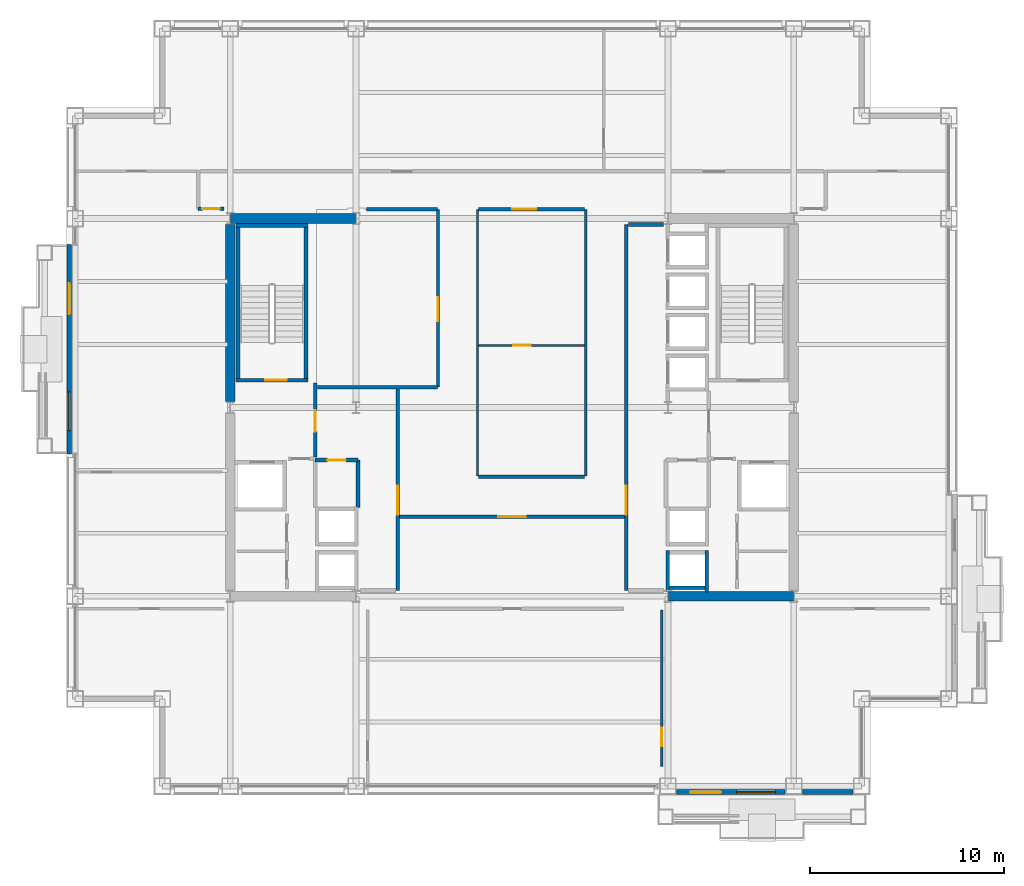
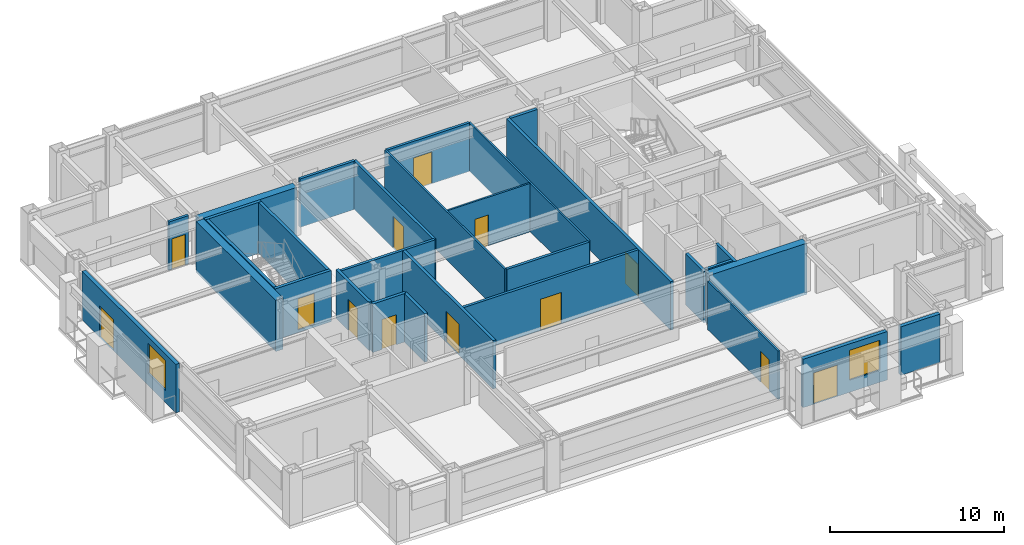
# One storey, part 24 of 29: 30 walls, 13 doors, 2 windows, 15 openings.
"""IFC4 building model written with IfcOpenShell, lengths in metres."""

from ifc_helpers import new_model, si_unit, direction, frame, frame_2d, origin, place, context, subcontext, project, spatial, rectangle, extrude, material, layer, layer_set, type_object, element, fill, save


model = new_model("IFC4")

# Units and contexts
model_context = context("Model", 3, precision=1e-05, world=origin(), true_north=direction((0.0, 1.0)))
body_context = subcontext(model_context, "Body", "Model", "MODEL_VIEW")
ifc_project = project(units=[si_unit("LENGTHUNIT", "METRE"), si_unit("AREAUNIT", "SQUARE_METRE"), si_unit("VOLUMEUNIT", "CUBIC_METRE"), si_unit("PLANEANGLEUNIT", "RADIAN"), si_unit("MASSUNIT", "GRAM", prefix="KILO")], contexts=[model_context])

# Site, building, storey
site_placement = place(None, origin())
site = spatial("IfcSite", under=ifc_project, at=site_placement, CompositionType="ELEMENT")
building_placement = place(site_placement, origin())
building = spatial("IfcBuilding", under=site, at=building_placement, Name="Brelmoor Portico Tower", CompositionType="ELEMENT")
storey_placement = place(building_placement, frame((0.0, 0.0, 95.39990234375)))
storey = spatial("IfcBuildingStorey", under=building, at=storey_placement, Name="L24", CompositionType="ELEMENT", Elevation=95.39990234375)

# Walls
ifc_material_1 = material(Name="Concrete C60", Category="concrete")
ifc_layer_1 = layer(ifc_material_1, 0.5)
ifc_layer_set_1 = layer_set([ifc_layer_1], Name="Concrete C60")
wall_type_1 = type_object("IfcWallType", Name="WL-CORE-500", PredefinedType="SHEAR", material=ifc_layer_set_1)
wall_1_placement = place(storey_placement, frame((-14.530029296875, 9.75, -0.199951171875), z_axis=(0.0, 0.0, 1.0), x_axis=(1.0, 0.0, 0.0)))
element("IfcWall", 1, at=wall_1_placement, inside=storey, type_object=wall_type_1, Name="L24 WC North Shear Wall", PredefinedType="SHEAR", context=body_context, shape_type="SweptSolid", body=[
    extrude(rectangle(XDim=6.4599609375, YDim=0.5, at=frame_2d((3.22998046875, 0.0))), origin(), (0.0, 0.0, 1.0), 3.60009765625),
])
wall_2_placement = place(storey_placement, frame((-14.550048828125, 0.300048828125, -0.199951171875), z_axis=(0.0, 0.0, 1.0), x_axis=(0.0, 1.0, 0.0)))
element("IfcWall", 2, at=wall_2_placement, inside=storey, type_object=wall_type_1, Name="L24 WC Outer North Shear Wall", PredefinedType="SHEAR", context=body_context, shape_type="SweptSolid", body=[
    extrude(rectangle(XDim=9.14990234375, YDim=0.5, at=frame_2d((4.574951171875, 0.0))), origin(), (0.0, 0.0, 1.0), 3.60009765625),
])
wall_3_placement = place(storey_placement, frame((8.070068359375, -9.75, -0.199951171875), z_axis=(0.0, 0.0, 1.0), x_axis=(1.0, 0.0, 0.0)))
element("IfcWall", 3, at=wall_3_placement, inside=storey, type_object=wall_type_1, Name="L24 EC South Shear Wall", PredefinedType="SHEAR", context=body_context, shape_type="SweptSolid", body=[
    extrude(rectangle(XDim=6.4599609375, YDim=0.5, at=frame_2d((3.22998046875, 0.0))), origin(), (0.0, 0.0, 1.0), 3.60009765625),
])

# Wall, openings, door, window
ifc_material_2 = material(Name="Precast Concrete C40 Insulated Facade Wall", Category="concrete")
ifc_layer_2 = layer(ifc_material_2, 0.25)
ifc_layer_set_2 = layer_set([ifc_layer_2], Name="Precast Concrete C40 Insulated Facade Wall")
wall_type_2 = type_object("IfcWallType", Name="WL-EXT-250", PredefinedType="STANDARD", material=ifc_layer_set_2)
wall_4_placement = place(storey_placement, frame((8.4951171875, -19.860107421875, 0.0), z_axis=(0.0, 0.0, 1.0), x_axis=(1.0, 0.0, 0.0)))
wall_4 = element("IfcWall", 4, at=wall_4_placement, inside=storey, type_object=wall_type_2, Name="L24 Loggia Threshold Wall S-1", PredefinedType="STANDARD", context=body_context, shape_type="SweptSolid", body=[
    extrude(rectangle(XDim=5.60986328125, YDim=0.25, at=frame_2d((2.804931640625, 0.0))), origin(), (0.0, 0.0, 1.0), 3.400146484375),
])
opening_1_placement = place(wall_4_placement, frame((0.705078125, 0.0, 0.0)))
opening_1 = element("IfcOpeningElement", 5, at=opening_1_placement, cuts=wall_4, Name="Opening D-TB1", PredefinedType="OPENING", context=body_context, shape_type="SweptSolid", body=[
    extrude(rectangle(XDim=1.60009765625, YDim=2.199951171875, at=frame_2d((0.800048828125, 1.10009765625))), frame((0.0, 0.135009765625, 0.0), z_axis=(0.0, -1.0, 0.0), x_axis=(1.0, 0.0, 0.0)), (0.0, 0.0, 1.0), 0.27001953125),
])
opening_2_placement = place(wall_4_placement, frame((3.10498046875, 0.0, 0.85009765625)))
opening_2 = element("IfcOpeningElement", 6, at=opening_2_placement, cuts=wall_4, Name="Opening W-03", PredefinedType="OPENING", context=body_context, shape_type="SweptSolid", body=[
    extrude(rectangle(XDim=2.0, YDim=2.10009765625, at=frame_2d((1.0, 1.050048828125))), frame((0.0, 0.135009765625, 0.0), z_axis=(0.0, -1.0, 0.0), x_axis=(1.0, 0.0, 0.0)), (0.0, 0.0, 1.0), 0.27001953125),
])
ifc_material_3 = material(Name="Double-Leaf Thermally Broken Terrace Door", Category="aluminium")
door_type_1 = type_object("IfcDoorType", Name="DR-BALCONY-1600", OperationType="NOTDEFINED", PredefinedType="DOOR", material=ifc_material_3)
door_1_placement = place(opening_1_placement, origin())
door_1 = element("IfcDoor", 7, at=door_1_placement, inside=storey, type_object=door_type_1, Name="D-1081 L24 Tree Balcony Double Door S", OperationType="DOUBLE_DOOR_SINGLE_SWING", OverallHeight=2.199951171875, OverallWidth=1.60009765625, PredefinedType="DOOR", context=body_context, shape_type="SweptSolid", body=[
    extrude(rectangle(XDim=1.60009765625, YDim=2.199951171875, at=frame_2d((0.800048828125, 1.10009765625))), frame((0.0, 0.02490234375, 0.0), z_axis=(0.0, -1.0, 0.0), x_axis=(1.0, 0.0, 0.0)), (0.0, 0.0, 1.0), 0.050048828125),
])
fill(opening_1, door_1)
ifc_material_4 = material(Name="Thermally Broken Aluminium Low-E Window", Category="aluminium")
window_type = type_object("IfcWindowType", Name="WN-LOGGIA-2000x2100", PartitioningType="SINGLE_PANEL", PredefinedType="WINDOW", material=ifc_material_4)
window_1_placement = place(opening_2_placement, origin())
window_1 = element("IfcWindow", 8, at=window_1_placement, inside=storey, type_object=window_type, Name="L24 Loggia Window S", OverallHeight=2.10009765625, OverallWidth=2.0, PartitioningType="SINGLE_PANEL", PredefinedType="WINDOW", context=body_context, shape_type="SweptSolid", body=[
    extrude(rectangle(XDim=2.0, YDim=2.10009765625, at=frame_2d((1.0, 1.050048828125))), frame((0.0, 0.030029296875, 0.0), z_axis=(0.0, -1.0, 0.0), x_axis=(1.0, 0.0, 0.0)), (0.0, 0.0, 1.0), 0.06005859375),
])
fill(opening_2, window_1)

# Wall
wall_5_placement = place(storey_placement, frame((14.9951171875, -19.860107421875, 0.0), z_axis=(0.0, 0.0, 1.0), x_axis=(1.0, 0.0, 0.0)))
element("IfcWall", 9, at=wall_5_placement, inside=storey, type_object=wall_type_2, Name="L24 Loggia Threshold Wall S-2", PredefinedType="STANDARD", context=body_context, shape_type="SweptSolid", body=[
    extrude(rectangle(XDim=2.60986328125, YDim=0.25, at=frame_2d((1.304931640625, 0.0))), origin(), (0.0, 0.0, 1.0), 3.400146484375),
])

# Wall, openings, door, window
wall_6_placement = place(storey_placement, frame((-22.860107421875, -2.39990234375, 0.0), z_axis=(0.0, 0.0, 1.0), x_axis=(0.0, 1.0, 0.0)))
wall_6 = element("IfcWall", 10, at=wall_6_placement, inside=storey, type_object=wall_type_2, Name="L24 Loggia Threshold Wall W-1", PredefinedType="STANDARD", context=body_context, shape_type="SweptSolid", body=[
    extrude(rectangle(XDim=10.7998046875, YDim=0.25, at=frame_2d((5.39990234375, 0.0))), origin(), (0.0, 0.0, 1.0), 3.400146484375),
])
opening_3_placement = place(wall_6_placement, frame((7.199951171875, 0.0, 0.0)))
opening_3 = element("IfcOpeningElement", 11, at=opening_3_placement, cuts=wall_6, Name="Opening D-TB1", PredefinedType="OPENING", context=body_context, shape_type="SweptSolid", body=[
    extrude(rectangle(XDim=1.60009765625, YDim=2.199951171875, at=frame_2d((0.800048828125, 1.10009765625))), frame((0.0, 0.135009765625, 0.0), z_axis=(0.0, -1.0, 0.0), x_axis=(1.0, 0.0, 0.0)), (0.0, 0.0, 1.0), 0.27001953125),
])
opening_4_placement = place(wall_6_placement, frame((1.199951171875, 0.0, 0.85009765625)))
opening_4 = element("IfcOpeningElement", 12, at=opening_4_placement, cuts=wall_6, Name="Opening W-03", PredefinedType="OPENING", context=body_context, shape_type="SweptSolid", body=[
    extrude(rectangle(XDim=2.0, YDim=2.10009765625, at=frame_2d((1.0, 1.050048828125))), frame((0.0, 0.135009765625, 0.0), z_axis=(0.0, -1.0, 0.0), x_axis=(1.0, 0.0, 0.0)), (0.0, 0.0, 1.0), 0.27001953125),
])
door_2_placement = place(opening_3_placement, origin())
door_2 = element("IfcDoor", 13, at=door_2_placement, inside=storey, type_object=door_type_1, Name="D-1082 L24 Tree Balcony Double Door W", OperationType="DOUBLE_DOOR_SINGLE_SWING", OverallHeight=2.199951171875, OverallWidth=1.60009765625, PredefinedType="DOOR", context=body_context, shape_type="SweptSolid", body=[
    extrude(rectangle(XDim=1.60009765625, YDim=2.199951171875, at=frame_2d((0.800048828125, 1.10009765625))), frame((0.0, 0.02490234375, 0.0), z_axis=(0.0, -1.0, 0.0), x_axis=(1.0, 0.0, 0.0)), (0.0, 0.0, 1.0), 0.050048828125),
])
fill(opening_3, door_2)
window_2_placement = place(opening_4_placement, origin())
window_2 = element("IfcWindow", 14, at=window_2_placement, inside=storey, type_object=window_type, Name="L24 Loggia Window W", OverallHeight=2.10009765625, OverallWidth=2.0, PartitioningType="SINGLE_PANEL", PredefinedType="WINDOW", context=body_context, shape_type="SweptSolid", body=[
    extrude(rectangle(XDim=2.0, YDim=2.10009765625, at=frame_2d((1.0, 1.050048828125))), frame((0.0, 0.030029296875, 0.0), z_axis=(0.0, -1.0, 0.0), x_axis=(1.0, 0.0, 0.0)), (0.0, 0.0, 1.0), 0.06005859375),
])
fill(opening_4, window_2)

# Walls
ifc_material_5 = material(Name="Lightweight Gypsum Office Partition", Category="gypsum")
ifc_layer_3 = layer(ifc_material_5, 0.1201171875)
ifc_layer_set_3 = layer_set([ifc_layer_3], Name="Lightweight Gypsum Office Partition")
wall_type_3 = type_object("IfcWallType", Name="WL-PART-120", PredefinedType="PARTITIONING", material=ifc_layer_set_3)
for number, where, z_axis, x_axis, name in (
    (15, (-1.780029296875, -3.550048828125, 0.0), (0.0, 0.0, 1.0), (0.0, 1.0, 0.0), "L24 Central Studio West Wall"),
    (16, (3.800048828125, -3.550048828125, 0.0), (0.0, 0.0, 1.0), (0.0, 1.0, 0.0), "L24 Central Studio East Wall"),
):
    element("IfcWall", number, at=place(storey_placement, frame(where, z_axis=z_axis, x_axis=x_axis)), inside=storey, type_object=wall_type_3, Name=name, PredefinedType="PARTITIONING", context=body_context, shape_type="SweptSolid", body=[
        extrude(rectangle(XDim=13.77001953125, YDim=0.1201171875, at=frame_2d((6.885009765625, 0.0))), origin(), (0.0, 0.0, 1.0), 3.400146484375),
    ])

# Wall, opening, door
wall_7_placement = place(storey_placement, frame((-1.72998046875, 3.199951171875, 0.0), z_axis=(0.0, 0.0, 1.0), x_axis=(1.0, 0.0, 0.0)))
wall_7 = element("IfcWall", 17, at=wall_7_placement, inside=storey, type_object=wall_type_3, Name="L24 Central Pantry Divider", PredefinedType="PARTITIONING", context=body_context, shape_type="SweptSolid", body=[
    extrude(rectangle(XDim=5.47998046875, YDim=0.1201171875, at=frame_2d((2.739990234375, 0.0))), origin(), (0.0, 0.0, 1.0), 3.400146484375),
])
opening_5_placement = place(wall_7_placement, frame((1.800048828125, 0.0, 0.0)))
opening_5 = element("IfcOpeningElement", 18, at=opening_5_placement, cuts=wall_7, Name="Opening D-IN1", PredefinedType="OPENING", context=body_context, shape_type="SweptSolid", body=[
    extrude(rectangle(XDim=0.89990234375, YDim=2.14990234375, at=frame_2d((0.449951171875, 1.074951171875))), frame((0.0, 0.070068359375, 0.0), z_axis=(0.0, -1.0, 0.0), x_axis=(1.0, 0.0, 0.0)), (0.0, 0.0, 1.0), 0.14013671875),
])
ifc_material_6 = material(Name="Lacquered Timber Suite Door", Category="wood")
door_type_2 = type_object("IfcDoorType", Name="DR-INT-900", OperationType="NOTDEFINED", PredefinedType="DOOR", material=ifc_material_6)
door_3_placement = place(opening_5_placement, origin())
door_3 = element("IfcDoor", 19, at=door_3_placement, inside=storey, type_object=door_type_2, Name="D-1053 L24 Central Pantry Connecting Door", OperationType="SINGLE_SWING_LEFT", OverallHeight=2.14990234375, OverallWidth=0.89990234375, PredefinedType="DOOR", context=body_context, shape_type="SweptSolid", body=[
    extrude(rectangle(XDim=0.89990234375, YDim=2.14990234375, at=frame_2d((0.449951171875, 1.074951171875))), frame((0.0, 0.02490234375, 0.0), z_axis=(0.0, -1.0, 0.0), x_axis=(1.0, 0.0, 0.0)), (0.0, 0.0, 1.0), 0.050048828125),
])
fill(opening_5, door_3)

wall_8_placement = place(storey_placement, frame((7.72998046875, -18.550048828125, 0.0), z_axis=(0.0, 0.0, 1.0), x_axis=(0.0, 1.0, 0.0)))
wall_8 = element("IfcWall", 20, at=wall_8_placement, inside=storey, type_object=wall_type_3, Name="L24 South Suite Partition 2", PredefinedType="PARTITIONING", context=body_context, shape_type="SweptSolid", body=[
    extrude(rectangle(XDim=8.090087890625, YDim=0.1201171875, at=frame_2d((4.044921875, 0.0))), origin(), (0.0, 0.0, 1.0), 3.400146484375),
])
opening_6_placement = place(wall_8_placement, frame((1.050048828125, 0.0, 0.0)))
opening_6 = element("IfcOpeningElement", 21, at=opening_6_placement, cuts=wall_8, Name="Opening D-IN2", PredefinedType="OPENING", context=body_context, shape_type="SweptSolid", body=[
    extrude(rectangle(XDim=0.9599609375, YDim=2.179931640625, at=frame_2d((0.47998046875, 1.08984375))), frame((0.0, 0.070068359375, 0.0), z_axis=(0.0, -1.0, 0.0), x_axis=(1.0, 0.0, 0.0)), (0.0, 0.0, 1.0), 0.14013671875),
])
door_type_3 = type_object("IfcDoorType", Name="DR-INT-950", OperationType="NOTDEFINED", PredefinedType="DOOR", material=ifc_material_6)
door_4_placement = place(opening_6_placement, origin())
door_4 = element("IfcDoor", 22, at=door_4_placement, inside=storey, type_object=door_type_3, Name="D-1075 L24 South Suite Connecting Door 2", OperationType="SINGLE_SWING_LEFT", OverallHeight=2.179931640625, OverallWidth=0.9599609375, PredefinedType="DOOR", context=body_context, shape_type="SweptSolid", body=[
    extrude(rectangle(XDim=0.9599609375, YDim=2.179931640625, at=frame_2d((0.47998046875, 1.08984375))), frame((0.0, 0.02490234375, 0.0), z_axis=(0.0, -1.0, 0.0), x_axis=(1.0, 0.0, 0.0)), (0.0, 0.0, 1.0), 0.050048828125),
])
fill(opening_6, door_4)

# Wall
ifc_material_7 = material(Name="Acoustic Corridor Fire Partition", Category="gypsum")
ifc_layer_4 = layer(ifc_material_7, 0.179931640625)
ifc_layer_set_4 = layer_set([ifc_layer_4], Name="Acoustic Corridor Fire Partition")
wall_type_4 = type_object("IfcWallType", Name="WL-PART-180", PredefinedType="PARTITIONING", material=ifc_layer_set_4)
wall_9_placement = place(storey_placement, frame((-10.050048828125, 1.050048828125, 0.0), z_axis=(0.0, 0.0, 1.0), x_axis=(1.0, 0.0, 0.0)))
element("IfcWall", 23, at=wall_9_placement, inside=storey, type_object=wall_type_4, Name="L24 Reclaimed West Suite South Wall", PredefinedType="PARTITIONING", context=body_context, shape_type="SweptSolid", body=[
    extrude(rectangle(XDim=6.2099609375, YDim=0.179931640625, at=frame_2d((3.10498046875, 0.0))), origin(), (0.0, 0.0, 1.0), 3.400146484375),
])

# Wall, opening, door
wall_10_placement = place(storey_placement, frame((-3.820068359375, 1.050048828125, 0.0), z_axis=(0.0, 0.0, 1.0), x_axis=(0.0, 1.0, 0.0)))
wall_10 = element("IfcWall", 24, at=wall_10_placement, inside=storey, type_object=wall_type_4, Name="L24 Reclaimed West Suite East Wall", PredefinedType="PARTITIONING", context=body_context, shape_type="SweptSolid", body=[
    extrude(rectangle(XDim=9.169921875, YDim=0.179931640625, at=frame_2d((4.5849609375, 0.0))), origin(), (0.0, 0.0, 1.0), 3.400146484375),
])
opening_7_placement = place(wall_10_placement, frame((3.39990234375, 0.0, 0.0)))
opening_7 = element("IfcOpeningElement", 25, at=opening_7_placement, cuts=wall_10, Name="Opening D-SU1", PredefinedType="OPENING", context=body_context, shape_type="SweptSolid", body=[
    extrude(rectangle(XDim=1.239990234375, YDim=2.239990234375, at=frame_2d((0.6201171875, 1.1201171875))), frame((0.0, 0.099853515625, 0.0), z_axis=(0.0, -1.0, 0.0), x_axis=(1.0, 0.0, 0.0)), (0.0, 0.0, 1.0), 0.199951171875),
])
ifc_material_8 = material(Name="Glazed Timber Executive Suite Door", Category="wood")
door_type_4 = type_object("IfcDoorType", Name="DR-SUITE-1200", OperationType="NOTDEFINED", PredefinedType="DOOR", material=ifc_material_8)
door_5_placement = place(opening_7_placement, origin())
door_5 = element("IfcDoor", 26, at=door_5_placement, inside=storey, type_object=door_type_4, Name="D-1072 L24 West Reclaimed Collaboration Office Door", OperationType="SINGLE_SWING_RIGHT", OverallHeight=2.239990234375, OverallWidth=1.239990234375, PredefinedType="DOOR", context=body_context, shape_type="SweptSolid", body=[
    extrude(rectangle(XDim=1.239990234375, YDim=2.239990234375, at=frame_2d((0.6201171875, 1.1201171875))), frame((0.0, 0.02490234375, 0.0), z_axis=(0.0, -1.0, 0.0), x_axis=(1.0, 0.0, 0.0)), (0.0, 0.0, 1.0), 0.050048828125),
])
fill(opening_7, door_5)

# Walls
wall_11_placement = place(storey_placement, frame((-7.5, 10.219970703125, 0.0), z_axis=(0.0, 0.0, 1.0), x_axis=(1.0, 0.0, 0.0)))
element("IfcWall", 27, at=wall_11_placement, inside=storey, type_object=wall_type_4, Name="L24 Reclaimed West Suite North Wall", PredefinedType="PARTITIONING", context=body_context, shape_type="SweptSolid", body=[
    extrude(rectangle(XDim=3.659912109375, YDim=0.179931640625, at=frame_2d((1.830078125, 0.0))), origin(), (0.0, 0.0, 1.0), 3.400146484375),
])
wall_12_placement = place(storey_placement, frame((-1.72998046875, -3.580078125, 0.0), z_axis=(0.0, 0.0, 1.0), x_axis=(1.0, 0.0, 0.0)))
element("IfcWall", 28, at=wall_12_placement, inside=storey, type_object=wall_type_4, Name="L24 Central Studio South Wall", PredefinedType="PARTITIONING", context=body_context, shape_type="SweptSolid", body=[
    extrude(rectangle(XDim=5.47998046875, YDim=0.179931640625, at=frame_2d((2.739990234375, 0.0))), origin(), (0.0, 0.0, 1.0), 3.400146484375),
])

# Wall, opening, door
wall_13_placement = place(storey_placement, frame((-1.72998046875, 10.219970703125, 0.0), z_axis=(0.0, 0.0, 1.0), x_axis=(1.0, 0.0, 0.0)))
wall_13 = element("IfcWall", 29, at=wall_13_placement, inside=storey, type_object=wall_type_4, Name="L24 Central Meeting North Wall", PredefinedType="PARTITIONING", context=body_context, shape_type="SweptSolid", body=[
    extrude(rectangle(XDim=5.47998046875, YDim=0.179931640625, at=frame_2d((2.739990234375, 0.0))), origin(), (0.0, 0.0, 1.0), 3.400146484375),
])
opening_8_placement = place(wall_13_placement, frame((1.75, 0.0, 0.0)))
opening_8 = element("IfcOpeningElement", 30, at=opening_8_placement, cuts=wall_13, Name="Opening D-SU1", PredefinedType="OPENING", context=body_context, shape_type="SweptSolid", body=[
    extrude(rectangle(XDim=1.239990234375, YDim=2.239990234375, at=frame_2d((0.6201171875, 1.1201171875))), frame((0.0, 0.099853515625, 0.0), z_axis=(0.0, -1.0, 0.0), x_axis=(1.0, 0.0, 0.0)), (0.0, 0.0, 1.0), 0.199951171875),
])
door_6_placement = place(opening_8_placement, origin())
door_6 = element("IfcDoor", 31, at=door_6_placement, inside=storey, type_object=door_type_4, Name="D-1054 L24 Client Meeting Room Door", OperationType="SINGLE_SWING_RIGHT", OverallHeight=2.239990234375, OverallWidth=1.239990234375, PredefinedType="DOOR", context=body_context, shape_type="SweptSolid", body=[
    extrude(rectangle(XDim=1.239990234375, YDim=2.239990234375, at=frame_2d((0.6201171875, 1.1201171875))), frame((0.0, 0.02490234375, 0.0), z_axis=(0.0, -1.0, 0.0), x_axis=(1.0, 0.0, 0.0)), (0.0, 0.0, 1.0), 0.050048828125),
])
fill(opening_8, door_6)

wall_14_placement = place(storey_placement, frame((-5.800048828125, -5.64990234375, 0.0), z_axis=(0.0, 0.0, 1.0), x_axis=(1.0, 0.0, 0.0)))
wall_14 = element("IfcWall", 32, at=wall_14_placement, inside=storey, type_object=wall_type_4, Name="L24 South Hub Corridor Wall", PredefinedType="PARTITIONING", context=body_context, shape_type="SweptSolid", body=[
    extrude(rectangle(XDim=11.60009765625, YDim=0.179931640625, at=frame_2d((5.800048828125, 0.0))), origin(), (0.0, 0.0, 1.0), 3.400146484375),
])
opening_9_placement = place(wall_14_placement, frame((5.10009765625, 0.0, 0.0)))
opening_9 = element("IfcOpeningElement", 33, at=opening_9_placement, cuts=wall_14, Name="Opening D-SU2", PredefinedType="OPENING", context=body_context, shape_type="SweptSolid", body=[
    extrude(rectangle(XDim=1.39990234375, YDim=2.199951171875, at=frame_2d((0.699951171875, 1.10009765625))), frame((0.0, 0.099853515625, 0.0), z_axis=(0.0, -1.0, 0.0), x_axis=(1.0, 0.0, 0.0)), (0.0, 0.0, 1.0), 0.199951171875),
])
ifc_material_9 = material(Name="Double-Leaf Acoustic Suite Door", Category="timber")
door_type_5 = type_object("IfcDoorType", Name="DR-SUITE-1400", OperationType="NOTDEFINED", PredefinedType="DOOR", material=ifc_material_9)
door_7_placement = place(opening_9_placement, origin())
door_7 = element("IfcDoor", 34, at=door_7_placement, inside=storey, type_object=door_type_5, Name="D-1052 L24 South Reception Hub Door", OperationType="DOUBLE_DOOR_SINGLE_SWING", OverallHeight=2.199951171875, OverallWidth=1.39990234375, PredefinedType="DOOR", context=body_context, shape_type="SweptSolid", body=[
    extrude(rectangle(XDim=1.39990234375, YDim=2.199951171875, at=frame_2d((0.699951171875, 1.10009765625))), frame((0.0, 0.02490234375, 0.0), z_axis=(0.0, -1.0, 0.0), x_axis=(1.0, 0.0, 0.0)), (0.0, 0.0, 1.0), 0.050048828125),
])
fill(opening_9, door_7)

wall_15_placement = place(storey_placement, frame((-16.199951171875, 10.25, 0.0), z_axis=(0.0, 0.0, 1.0), x_axis=(1.0, 0.0, 0.0)))
wall_15 = element("IfcWall", 35, at=wall_15_placement, inside=storey, type_object=wall_type_4, Name="L24 W Wing North Entry Wall", PredefinedType="PARTITIONING", context=body_context, shape_type="SweptSolid", body=[
    extrude(rectangle(XDim=1.320068359375, YDim=0.179931640625, at=frame_2d((0.66015625, 0.0))), origin(), (0.0, 0.0, 1.0), 3.400146484375),
])
opening_10_placement = place(wall_15_placement, frame((0.2099609375, 0.0, 0.0)))
opening_10 = element("IfcOpeningElement", 36, at=opening_10_placement, cuts=wall_15, Name="Opening D-IN1", PredefinedType="OPENING", context=body_context, shape_type="SweptSolid", body=[
    extrude(rectangle(XDim=0.89990234375, YDim=2.14990234375, at=frame_2d((0.449951171875, 1.074951171875))), frame((0.0, 0.099853515625, 0.0), z_axis=(0.0, -1.0, 0.0), x_axis=(1.0, 0.0, 0.0)), (0.0, 0.0, 1.0), 0.199951171875),
])
door_8_placement = place(opening_10_placement, origin())
door_8 = element("IfcDoor", 37, at=door_8_placement, inside=storey, type_object=door_type_2, Name="D-1084 L24 W Wing Entry Door", OperationType="SINGLE_SWING_LEFT", OverallHeight=2.14990234375, OverallWidth=0.89990234375, PredefinedType="DOOR", context=body_context, shape_type="SweptSolid", body=[
    extrude(rectangle(XDim=0.89990234375, YDim=2.14990234375, at=frame_2d((0.449951171875, 1.074951171875))), frame((0.0, 0.02490234375, 0.0), z_axis=(0.0, -1.0, 0.0), x_axis=(1.0, 0.0, 0.0)), (0.0, 0.0, 1.0), 0.050048828125),
])
fill(opening_10, door_8)

ifc_material_10 = material(Name="Double-Stud Gypsum Fire Partition", Category="gypsum")
ifc_layer_5 = layer(ifc_material_10, 0.199951171875)
ifc_layer_set_5 = layer_set([ifc_layer_5], Name="Double-Stud Gypsum Fire Partition")
wall_type_5 = type_object("IfcWallType", Name="WL-PART-200", PredefinedType="PARTITIONING", material=ifc_layer_set_5)
wall_16_placement = place(storey_placement, frame((-5.89990234375, -9.449951171875, 0.0), z_axis=(0.0, 0.0, 1.0), x_axis=(0.0, 1.0, 0.0)))
wall_16 = element("IfcWall", 38, at=wall_16_placement, inside=storey, type_object=wall_type_5, Name="L24 W Core Lobby Compartment Wall", PredefinedType="PARTITIONING", context=body_context, shape_type="SweptSolid", body=[
    extrude(rectangle(XDim=10.5, YDim=0.199951171875, at=frame_2d((5.25, 0.0))), origin(), (0.0, 0.0, 1.0), 3.400146484375),
])
opening_11_placement = place(wall_16_placement, frame((3.89990234375, 0.0, 0.0)))
opening_11 = element("IfcOpeningElement", 39, at=opening_11_placement, cuts=wall_16, Name="Opening D-LB1", PredefinedType="OPENING", context=body_context, shape_type="SweptSolid", body=[
    extrude(rectangle(XDim=1.5, YDim=2.199951171875, at=frame_2d((0.75, 1.10009765625))), frame((0.0, 0.10986328125, 0.0), z_axis=(0.0, -1.0, 0.0), x_axis=(1.0, 0.0, 0.0)), (0.0, 0.0, 1.0), 0.219970703125),
])
ifc_material_11 = material(Name="Double-Leaf Glazed Steel Fire Door", Category="steel")
door_type_6 = type_object("IfcDoorType", Name="DR-LOBBY-1500", OperationType="NOTDEFINED", PredefinedType="DOOR", material=ifc_material_11)
door_9_placement = place(opening_11_placement, origin())
door_9 = element("IfcDoor", 40, at=door_9_placement, inside=storey, type_object=door_type_6, Name="D-1066 L24 W Lift Lobby Main Door", OperationType="DOUBLE_DOOR_SINGLE_SWING", OverallHeight=2.199951171875, OverallWidth=1.5, PredefinedType="DOOR", context=body_context, shape_type="SweptSolid", body=[
    extrude(rectangle(XDim=1.5, YDim=2.199951171875, at=frame_2d((0.75, 1.10009765625))), frame((0.0, 0.02490234375, 0.0), z_axis=(0.0, -1.0, 0.0), x_axis=(1.0, 0.0, 0.0)), (0.0, 0.0, 1.0), 0.050048828125),
])
fill(opening_11, door_9)

wall_17_placement = place(storey_placement, frame((-10.159912109375, -2.550048828125, 0.0), z_axis=(0.0, 0.0, 1.0), x_axis=(0.0, 1.0, 0.0)))
wall_17 = element("IfcWall", 41, at=wall_17_placement, inside=storey, type_object=wall_type_5, Name="L24 W Firefighting Lobby Wall", PredefinedType="PARTITIONING", context=body_context, shape_type="SweptSolid", body=[
    extrude(rectangle(XDim=3.800048828125, YDim=0.199951171875, at=frame_2d((1.89990234375, 0.0))), origin(), (0.0, 0.0, 1.0), 3.400146484375),
])
opening_12_placement = place(wall_17_placement, frame((1.300048828125, 0.0, 0.0)))
opening_12 = element("IfcOpeningElement", 42, at=opening_12_placement, cuts=wall_17, Name="Opening D-FR1", PredefinedType="OPENING", context=body_context, shape_type="SweptSolid", body=[
    extrude(rectangle(XDim=1.10009765625, YDim=2.14990234375, at=frame_2d((0.550048828125, 1.074951171875))), frame((0.0, 0.10986328125, 0.0), z_axis=(0.0, -1.0, 0.0), x_axis=(1.0, 0.0, 0.0)), (0.0, 0.0, 1.0), 0.219970703125),
])
ifc_material_12 = material(Name="Painted Galvanised Steel Fire Door", Category="steel")
door_type_7 = type_object("IfcDoorType", Name="DR-FIRE-1100", OperationType="NOTDEFINED", PredefinedType="DOOR", material=ifc_material_12)
door_10_placement = place(opening_12_placement, origin())
door_10 = element("IfcDoor", 43, at=door_10_placement, inside=storey, type_object=door_type_7, Name="D-1064 L24 W Firefighting Lobby Door", OperationType="SINGLE_SWING_RIGHT", OverallHeight=2.14990234375, OverallWidth=1.10009765625, PredefinedType="DOOR", context=body_context, shape_type="SweptSolid", body=[
    extrude(rectangle(XDim=1.10009765625, YDim=2.14990234375, at=frame_2d((0.550048828125, 1.074951171875))), frame((0.0, 0.02490234375, 0.0), z_axis=(0.0, -1.0, 0.0), x_axis=(1.0, 0.0, 0.0)), (0.0, 0.0, 1.0), 0.050048828125),
])
fill(opening_12, door_10)

wall_18_placement = place(storey_placement, frame((-7.9599609375, -2.719970703125, 0.0), z_axis=(0.0, 0.0, 1.0), x_axis=(-1.0, 0.0, 0.0)))
wall_18 = element("IfcWall", 44, at=wall_18_placement, inside=storey, type_object=wall_type_5, Name="L24 W Electrical Switchgear Closet Wall", PredefinedType="PARTITIONING", context=body_context, shape_type="SweptSolid", body=[
    extrude(rectangle(XDim=2.199951171875, YDim=0.199951171875, at=frame_2d((1.10009765625, 0.0))), origin(), (0.0, 0.0, 1.0), 3.400146484375),
])
opening_13_placement = place(wall_18_placement, frame((0.6201171875, 0.0, 0.0)))
opening_13 = element("IfcOpeningElement", 45, at=opening_13_placement, cuts=wall_18, Name="Opening D-FR4", PredefinedType="OPENING", context=body_context, shape_type="SweptSolid", body=[
    extrude(rectangle(XDim=0.949951171875, YDim=2.10009765625, at=frame_2d((0.47509765625, 1.050048828125))), frame((0.0, 0.10986328125, 0.0), z_axis=(0.0, -1.0, 0.0), x_axis=(1.0, 0.0, 0.0)), (0.0, 0.0, 1.0), 0.219970703125),
])
ifc_material_13 = material(Name="Painted Galvanised Steel Riser Door", Category="steel")
door_type_8 = type_object("IfcDoorType", Name="DR-FIRE-950", OperationType="NOTDEFINED", PredefinedType="DOOR", material=ifc_material_13)
door_11_placement = place(opening_13_placement, origin())
door_11 = element("IfcDoor", 46, at=door_11_placement, inside=storey, type_object=door_type_8, Name="D-1062 L24 W Electrical Switchgear Closet Door", OperationType="SINGLE_SWING_RIGHT", OverallHeight=2.10009765625, OverallWidth=0.949951171875, PredefinedType="DOOR", context=body_context, shape_type="SweptSolid", body=[
    extrude(rectangle(XDim=0.949951171875, YDim=2.10009765625, at=frame_2d((0.47509765625, 1.050048828125))), frame((0.0, 0.02490234375, 0.0), z_axis=(0.0, -1.0, 0.0), x_axis=(1.0, 0.0, 0.0)), (0.0, 0.0, 1.0), 0.050048828125),
])
fill(opening_13, door_11)

# Wall
wall_19_placement = place(storey_placement, frame((-7.9599609375, -5.159912109375, 0.0), z_axis=(0.0, 0.0, 1.0), x_axis=(0.0, 1.0, 0.0)))
element("IfcWall", 47, at=wall_19_placement, inside=storey, type_object=wall_type_5, Name="L24 W Electrical Switchgear Closet Inner Wall", PredefinedType="PARTITIONING", context=body_context, shape_type="SweptSolid", body=[
    extrude(rectangle(XDim=2.43994140625, YDim=0.199951171875, at=frame_2d((1.219970703125, 0.0))), origin(), (0.0, 0.0, 1.0), 3.400146484375),
])

# Wall, opening, door
wall_20_placement = place(storey_placement, frame((5.89990234375, -9.449951171875, 0.0), z_axis=(0.0, 0.0, 1.0), x_axis=(0.0, 1.0, 0.0)))
wall_20 = element("IfcWall", 48, at=wall_20_placement, inside=storey, type_object=wall_type_5, Name="L24 E Core Lobby Compartment Wall", PredefinedType="PARTITIONING", context=body_context, shape_type="SweptSolid", body=[
    extrude(rectangle(XDim=18.89990234375, YDim=0.199951171875, at=frame_2d((9.449951171875, 0.0))), origin(), (0.0, 0.0, 1.0), 3.400146484375),
])
opening_14_placement = place(wall_20_placement, frame((3.89990234375, 0.0, 0.0)))
opening_14 = element("IfcOpeningElement", 49, at=opening_14_placement, cuts=wall_20, Name="Opening D-LB1", PredefinedType="OPENING", context=body_context, shape_type="SweptSolid", body=[
    extrude(rectangle(XDim=1.5, YDim=2.199951171875, at=frame_2d((0.75, 1.10009765625))), frame((0.0, 0.10986328125, 0.0), z_axis=(0.0, -1.0, 0.0), x_axis=(1.0, 0.0, 0.0)), (0.0, 0.0, 1.0), 0.219970703125),
])
door_12_placement = place(opening_14_placement, origin())
door_12 = element("IfcDoor", 50, at=door_12_placement, inside=storey, type_object=door_type_6, Name="D-1065 L24 E Lift Lobby Main Door", OperationType="DOUBLE_DOOR_SINGLE_SWING", OverallHeight=2.199951171875, OverallWidth=1.5, PredefinedType="DOOR", context=body_context, shape_type="SweptSolid", body=[
    extrude(rectangle(XDim=1.5, YDim=2.199951171875, at=frame_2d((0.75, 1.10009765625))), frame((0.0, 0.02490234375, 0.0), z_axis=(0.0, -1.0, 0.0), x_axis=(1.0, 0.0, 0.0)), (0.0, 0.0, 1.0), 0.050048828125),
])
fill(opening_14, door_12)

# Walls
wall_21_placement = place(storey_placement, frame((6.02001953125, 9.449951171875, 0.0), z_axis=(0.0, 0.0, 1.0), x_axis=(1.0, 0.0, 0.0)))
element("IfcWall", 51, at=wall_21_placement, inside=storey, type_object=wall_type_5, Name="L24 E Lift Lobby North End Wall", PredefinedType="PARTITIONING", context=body_context, shape_type="SweptSolid", body=[
    extrude(rectangle(XDim=1.800048828125, YDim=0.199951171875, at=frame_2d((0.89990234375, 0.0))), origin(), (0.0, 0.0, 1.0), 3.400146484375),
])
ifc_material_14 = material(Name="Precast Concrete C40", Category="concrete")
ifc_layer_6 = layer(ifc_material_14, 0.18994140625)
ifc_layer_set_6 = layer_set([ifc_layer_6], Name="Precast Concrete C40")
wall_type_6 = type_object("IfcWallType", Name="WL-SHAFT-180", PredefinedType="SOLIDWALL", material=ifc_layer_set_6)
for number, where, z_axis, x_axis, name in (
    (52, (8.044921875, -9.52001953125, -0.199951171875), (0.0, 0.0, 1.0), (0.0, 1.0, 0.0), "L24 Lift PH3 Hoistway Front Wall"),
    (53, (10.054931640625, -9.52001953125, -0.199951171875), (0.0, 0.0, 1.0), (0.0, 1.0, 0.0), "L24 Lift PH3 Hoistway Back Wall"),
):
    element("IfcWall", number, at=place(storey_placement, frame(where, z_axis=z_axis, x_axis=x_axis)), inside=storey, type_object=wall_type_6, Name=name, PredefinedType="SOLIDWALL", context=body_context, shape_type="SweptSolid", body=[
        extrude(rectangle(XDim=2.1201171875, YDim=0.18994140625, at=frame_2d((1.06005859375, 0.0))), origin(), (0.0, 0.0, 1.0), 3.60009765625),
    ])
wall_22_placement = place(storey_placement, frame((7.949951171875, -9.304931640625, -0.199951171875), z_axis=(0.0, 0.0, 1.0), x_axis=(1.0, 0.0, 0.0)))
element("IfcWall", 54, at=wall_22_placement, inside=storey, type_object=wall_type_6, Name="L24 Lift PH3 Hoistway South Wall", PredefinedType="SOLIDWALL", context=body_context, shape_type="SweptSolid", body=[
    extrude(rectangle(XDim=2.199951171875, YDim=0.18994140625, at=frame_2d((1.10009765625, 0.0))), origin(), (0.0, 0.0, 1.0), 3.60009765625),
])
ifc_material_15 = material(Name="Concrete C40", Category="concrete")
ifc_layer_7 = layer(ifc_material_15, 0.199951171875)
ifc_layer_set_7 = layer_set([ifc_layer_7], Name="Concrete C40")
wall_type_7 = type_object("IfcWallType", Name="WL-SHAFT-RC200", PredefinedType="SOLIDWALL", material=ifc_layer_set_7)
wall_23_placement = place(storey_placement, frame((-14.14990234375, 1.5, -0.199951171875), z_axis=(0.0, 0.0, 1.0), x_axis=(0.0, 1.0, 0.0)))
element("IfcWall", 55, at=wall_23_placement, inside=storey, type_object=wall_type_7, Name="L24 ST-W Structural Stair Wall Outer", PredefinedType="SOLIDWALL", context=body_context, shape_type="SweptSolid", body=[
    extrude(rectangle(XDim=7.800048828125, YDim=0.199951171875, at=frame_2d((3.89990234375, 0.0))), origin(), (0.0, 0.0, 1.0), 3.60009765625),
])

# Wall, opening, door
wall_24_placement = place(storey_placement, frame((-14.25, 1.39990234375, -0.199951171875), z_axis=(0.0, 0.0, 1.0), x_axis=(1.0, 0.0, 0.0)))
wall_24 = element("IfcWall", 56, at=wall_24_placement, inside=storey, type_object=wall_type_7, Name="L24 ST-W Structural Stair Wall S", PredefinedType="SOLIDWALL", context=body_context, shape_type="SweptSolid", body=[
    extrude(rectangle(XDim=3.719970703125, YDim=0.199951171875, at=frame_2d((1.85986328125, 0.0))), origin(), (0.0, 0.0, 1.0), 3.60009765625),
])
opening_15_placement = place(wall_24_placement, frame((1.5, 0.0, 0.199951171875)))
opening_15 = element("IfcOpeningElement", 57, at=opening_15_placement, cuts=wall_24, Name="Opening D-ST1", PredefinedType="OPENING", context=body_context, shape_type="SweptSolid", body=[
    extrude(rectangle(XDim=1.1201171875, YDim=2.179931640625, at=frame_2d((0.56005859375, 1.08984375))), frame((0.0, 0.10986328125, 0.0), z_axis=(0.0, -1.0, 0.0), x_axis=(1.0, 0.0, 0.0)), (0.0, 0.0, 1.0), 0.219970703125),
])
door_type_9 = type_object("IfcDoorType", Name="DR-STAIR-1100", OperationType="NOTDEFINED", PredefinedType="DOOR", material=ifc_material_12)
door_13_placement = place(opening_15_placement, origin())
door_13 = element("IfcDoor", 58, at=door_13_placement, inside=storey, type_object=door_type_9, Name="D-1077 L24 ST-W Protected Exit Stair Door", OperationType="SINGLE_SWING_LEFT", OverallHeight=2.179931640625, OverallWidth=1.1201171875, PredefinedType="DOOR", context=body_context, shape_type="SweptSolid", body=[
    extrude(rectangle(XDim=1.1201171875, YDim=2.179931640625, at=frame_2d((0.56005859375, 1.08984375))), frame((0.0, 0.02490234375, 0.0), z_axis=(0.0, -1.0, 0.0), x_axis=(1.0, 0.0, 0.0)), (0.0, 0.0, 1.0), 0.050048828125),
])
fill(opening_15, door_13)

# Walls
wall_25_placement = place(storey_placement, frame((-14.25, 9.39990234375, -0.199951171875), z_axis=(0.0, 0.0, 1.0), x_axis=(1.0, 0.0, 0.0)))
element("IfcWall", 59, at=wall_25_placement, inside=storey, type_object=wall_type_7, Name="L24 ST-W Structural Stair Wall N", PredefinedType="SOLIDWALL", context=body_context, shape_type="SweptSolid", body=[
    extrude(rectangle(XDim=3.719970703125, YDim=0.199951171875, at=frame_2d((1.85986328125, 0.0))), origin(), (0.0, 0.0, 1.0), 3.60009765625),
])
wall_26_placement = place(storey_placement, frame((-10.6298828125, 1.5, -0.199951171875), z_axis=(0.0, 0.0, 1.0), x_axis=(0.0, 1.0, 0.0)))
element("IfcWall", 60, at=wall_26_placement, inside=storey, type_object=wall_type_7, Name="L24 ST-W Structural Stair Wall Inner", PredefinedType="SOLIDWALL", context=body_context, shape_type="SweptSolid", body=[
    extrude(rectangle(XDim=7.800048828125, YDim=0.199951171875, at=frame_2d((3.89990234375, 0.0))), origin(), (0.0, 0.0, 1.0), 3.60009765625),
])

save(model, "model.ifc")
